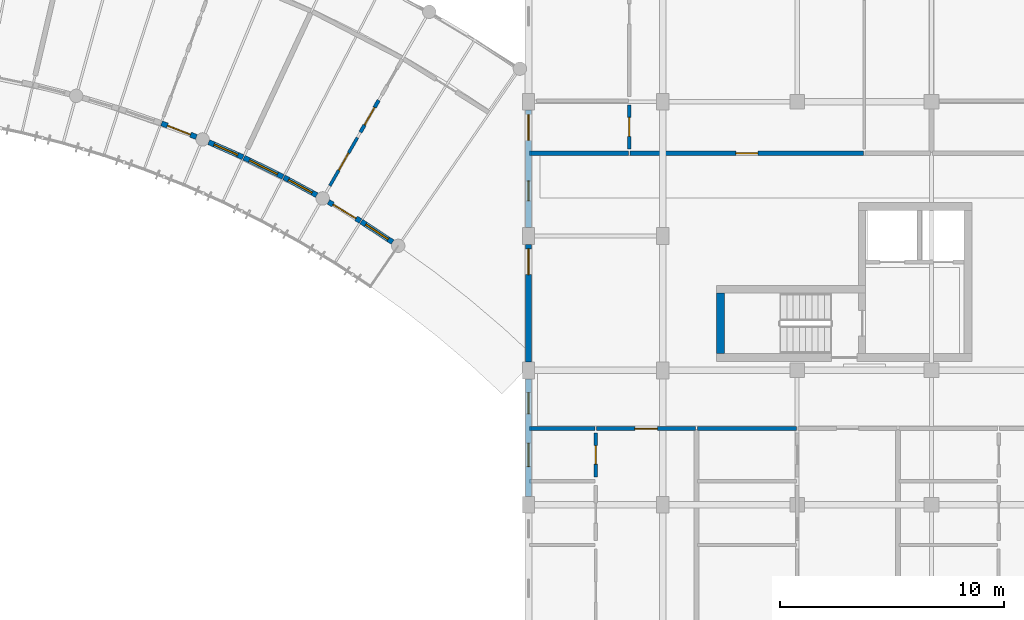
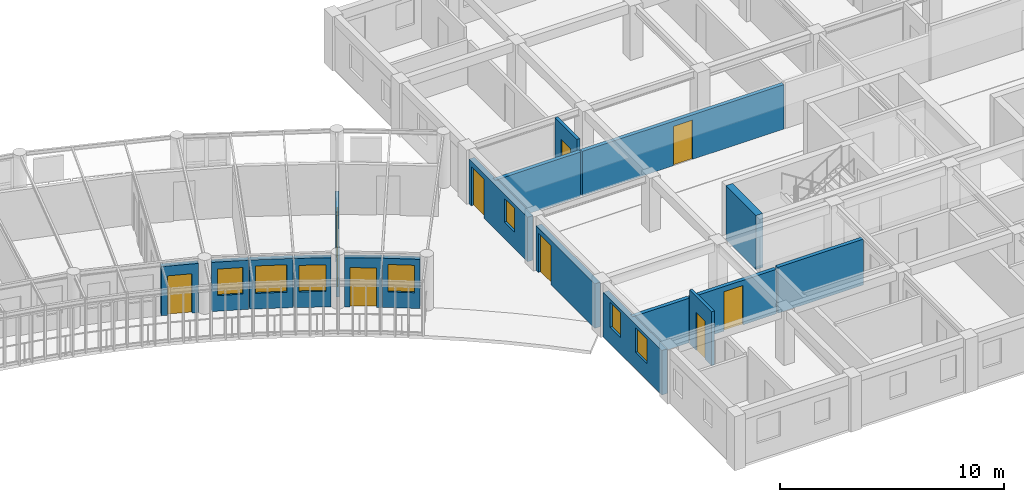
# One storey, part 77 of 100: 19 walls, 10 doors, 7 windows, 17 openings.
"""IFC4 building model written with IfcOpenShell, lengths in metres."""

from ifc_helpers import new_model, si_unit, direction, frame, frame_2d, origin, place, context, subcontext, project, spatial, rectangle, extrude, material, layer, layer_set, type_object, element, fill, save


model = new_model("IFC4")

# Units and contexts
model_context = context("Model", 3, precision=1e-05, world=origin(), true_north=direction((0.0, 1.0)))
body_context = subcontext(model_context, "Body", "Model", "MODEL_VIEW")
ifc_project = project(units=[si_unit("LENGTHUNIT", "METRE"), si_unit("AREAUNIT", "SQUARE_METRE"), si_unit("VOLUMEUNIT", "CUBIC_METRE"), si_unit("PLANEANGLEUNIT", "RADIAN"), si_unit("MASSUNIT", "GRAM", prefix="KILO"), si_unit("POWERUNIT", "WATT"), si_unit("THERMODYNAMICTEMPERATUREUNIT", "KELVIN")], contexts=[model_context])

# Site, building, storey
site_placement = place(None, origin())
site = spatial("IfcSite", under=ifc_project, at=site_placement, CompositionType="ELEMENT")
building_placement = place(site_placement, origin())
building = spatial("IfcBuilding", under=site, at=building_placement, Name="Ruvembo Vaulted Housing Court", CompositionType="ELEMENT")
storey_placement = place(building_placement, frame((0.0, 0.0, 14.10009765625)))
storey = spatial("IfcBuildingStorey", under=building, at=storey_placement, Name="L04", CompositionType="ELEMENT", Elevation=14.10009765625)

# Walls
ifc_material_1 = material(Name="Concrete C35/45", Category="concrete")
ifc_layer_1 = layer(ifc_material_1, 0.35009765625, Name="Concrete C35/45")
ifc_layer_set_1 = layer_set([ifc_layer_1], Name="Concrete C35/45")
wall_type_1 = type_object("IfcWallType", Name="WL-CORE-350", PredefinedType="SHEAR", material=ifc_layer_set_1)
wall_1_placement = place(storey_placement, frame((158.574951171875, 87.449951171875, 0.0), z_axis=(0.0, 0.0, 1.0), x_axis=(0.0, -1.0, 0.0)))
element("IfcWall", 1, at=wall_1_placement, inside=storey, type_object=wall_type_1, Name="Core D1 L04 Stair West Shear Wall", PredefinedType="SHEAR", context=body_context, shape_type="SweptSolid", body=[
    extrude(rectangle(XDim=2.699951171875, YDim=0.35009765625, at=frame_2d((1.35009765625, 0.0))), origin(), (0.0, 0.0, 1.0), 2.949951171875),
])
ifc_material_2 = material(Name="Concrete Blockwork 190", Category="masonry")
ifc_layer_2 = layer(ifc_material_2, 0.18994140625, Name="Concrete Blockwork 190")
ifc_layer_set_2 = layer_set([ifc_layer_2], Name="Concrete Blockwork 190")
wall_type_2 = type_object("IfcWallType", Name="WL-CORR-190", PredefinedType="SOLIDWALL", material=ifc_layer_set_2)
wall_2_placement = place(storey_placement, frame((150.0400390625, 81.39990234375, 0.0), z_axis=(0.0, 0.0, 1.0), x_axis=(1.0, 0.0, 0.0)))
element("IfcWall", 2, at=wall_2_placement, inside=storey, type_object=wall_type_2, Name="L04 Flat D-L04-S1 Corridor Wall WL-INT-L04-01238", PredefinedType="SOLIDWALL", context=body_context, shape_type="SweptSolid", body=[
    extrude(rectangle(XDim=2.919921875, YDim=0.18994140625, at=frame_2d((1.4599609375, 0.0))), origin(), (0.0, 0.0, 1.0), 2.431884765625),
])

# Wall, opening, door
wall_3_placement = place(storey_placement, frame((153.0400390625, 81.39990234375, 0.0), z_axis=(0.0, 0.0, 1.0), x_axis=(1.0, 0.0, 0.0)))
wall_3 = element("IfcWall", 3, at=wall_3_placement, inside=storey, type_object=wall_type_2, Name="L04 Flat D-L04-S1 Entrance WL-INT-L04-01239", PredefinedType="SOLIDWALL", context=body_context, shape_type="SweptSolid", body=[
    extrude(rectangle(XDim=4.419921875, YDim=0.18994140625, at=frame_2d((2.2099609375, 0.0))), origin(), (0.0, 0.0, 1.0), 2.431884765625),
])
opening_1_placement = place(wall_3_placement, frame((1.7099609375, 0.0, 0.0)))
opening_1 = element("IfcOpeningElement", 4, at=opening_1_placement, cuts=wall_3, Name="Opening FD1", PredefinedType="OPENING", context=body_context, shape_type="SweptSolid", body=[
    extrude(rectangle(XDim=1.0, YDim=2.14990234375, at=frame_2d((0.5, 1.074951171875))), frame((0.0, 0.10498046875, 0.0), z_axis=(0.0, -1.0, 0.0), x_axis=(1.0, 0.0, 0.0)), (0.0, 0.0, 1.0), 0.2099609375),
])
ifc_material_3 = material(Name="FSC Hardwood and Engineered Timber", Category="wood")
door_type_1 = type_object("IfcDoorType", Name="DR-FLAT-1000x2150", OperationType="NOTDEFINED", PredefinedType="DOOR", material=ifc_material_3)
door_1_placement = place(opening_1_placement, origin())
door_1 = element("IfcDoor", 5, at=door_1_placement, inside=storey, type_object=door_type_1, Name="L04 Flat D-L04-S1 Entrance Door DR-INT-L04-00690", OperationType="SINGLE_SWING_RIGHT", OverallHeight=2.14990234375, OverallWidth=1.0, PredefinedType="DOOR", context=body_context, shape_type="SweptSolid", body=[
    extrude(rectangle(XDim=1.0, YDim=2.14990234375, at=frame_2d((0.5, 1.074951171875))), frame((0.0, 0.02490234375, 0.0), z_axis=(0.0, -1.0, 0.0), x_axis=(1.0, 0.0, 0.0)), (0.0, 0.0, 1.0), 0.050048828125),
])
fill(opening_1, door_1)

# Walls
wall_4_placement = place(storey_placement, frame((157.5400390625, 81.39990234375, 0.0), z_axis=(0.0, 0.0, 1.0), x_axis=(1.0, 0.0, 0.0)))
element("IfcWall", 6, at=wall_4_placement, inside=storey, type_object=wall_type_2, Name="L04 Flat D-L04-S2 Corridor Wall WL-INT-L04-01246", PredefinedType="SOLIDWALL", context=body_context, shape_type="SweptSolid", body=[
    extrude(rectangle(XDim=4.419921875, YDim=0.18994140625, at=frame_2d((2.2099609375, 0.0))), origin(), (0.0, 0.0, 1.0), 2.5078125),
])
wall_5_placement = place(storey_placement, frame((150.0400390625, 93.699951171875, 0.0), z_axis=(0.0, 0.0, 1.0), x_axis=(1.0, 0.0, 0.0)))
element("IfcWall", 7, at=wall_5_placement, inside=storey, type_object=wall_type_2, Name="L04 Flat D-L04-N1 Corridor Wall WL-INT-L04-01269", PredefinedType="SOLIDWALL", context=body_context, shape_type="SweptSolid", body=[
    extrude(rectangle(XDim=4.419921875, YDim=0.18994140625, at=frame_2d((2.2099609375, 0.0))), origin(), (0.0, 0.0, 1.0), 2.431884765625),
])

# Wall, opening, door
wall_6_placement = place(storey_placement, frame((154.5400390625, 93.699951171875, 0.0), z_axis=(0.0, 0.0, 1.0), x_axis=(1.0, 0.0, 0.0)))
wall_6 = element("IfcWall", 8, at=wall_6_placement, inside=storey, type_object=wall_type_2, Name="L04 Flat D-L04-N1 Entrance WL-INT-L04-01270", PredefinedType="SOLIDWALL", context=body_context, shape_type="SweptSolid", body=[
    extrude(rectangle(XDim=10.419921875, YDim=0.18994140625, at=frame_2d((5.2099609375, 0.0))), origin(), (0.0, 0.0, 1.0), 2.431884765625),
])
opening_2_placement = place(wall_6_placement, frame((4.719970703125, 0.0, 0.0)))
opening_2 = element("IfcOpeningElement", 9, at=opening_2_placement, cuts=wall_6, Name="Opening FD2", PredefinedType="OPENING", context=body_context, shape_type="SweptSolid", body=[
    extrude(rectangle(XDim=0.97998046875, YDim=2.14990234375, at=frame_2d((0.489990234375, 1.074951171875))), frame((0.0, 0.10498046875, 0.0), z_axis=(0.0, -1.0, 0.0), x_axis=(1.0, 0.0, 0.0)), (0.0, 0.0, 1.0), 0.2099609375),
])
door_type_2 = type_object("IfcDoorType", Name="DR-FLAT-0980x2150", OperationType="NOTDEFINED", PredefinedType="DOOR", material=ifc_material_3)
door_2_placement = place(opening_2_placement, origin())
door_2 = element("IfcDoor", 10, at=door_2_placement, inside=storey, type_object=door_type_2, Name="L04 Flat D-L04-N1 Entrance Door DR-INT-L04-00706", OperationType="SINGLE_SWING_RIGHT", OverallHeight=2.14990234375, OverallWidth=0.97998046875, PredefinedType="DOOR", context=body_context, shape_type="SweptSolid", body=[
    extrude(rectangle(XDim=0.97998046875, YDim=2.14990234375, at=frame_2d((0.489990234375, 1.074951171875))), frame((0.0, 0.02490234375, 0.0), z_axis=(0.0, -1.0, 0.0), x_axis=(1.0, 0.0, 0.0)), (0.0, 0.0, 1.0), 0.050048828125),
])
fill(opening_2, door_2)

ifc_material_4 = material(Name="Rendered Masonry 235", Category="masonry")
ifc_layer_3 = layer(ifc_material_4, 0.235107421875, Name="Rendered Masonry 235")
ifc_layer_set_3 = layer_set([ifc_layer_3], Name="Rendered Masonry 235")
wall_type_3 = type_object("IfcWallType", Name="WL-EXT-235", PredefinedType="STANDARD", material=ifc_layer_set_3)
wall_7_placement = place(storey_placement, frame((133.605712890625, 95.03564453125, 0.0), z_axis=(0.0, 0.0, 1.0), x_axis=(0.931012112308, -0.364988283012, 0.0)))
wall_7 = element("IfcWall", 11, at=wall_7_placement, inside=storey, type_object=wall_type_3, Name="Scoop SC3 L04 Concave Balcony Wall 23", PredefinedType="STANDARD", context=body_context, shape_type="SweptSolid", body=[
    extrude(rectangle(XDim=1.67236328125, YDim=0.235107421875, at=frame_2d((0.836181640625, 0.0))), origin(), (0.0, 0.0, 1.0), 2.683837890625),
])
opening_3_placement = place(wall_7_placement, frame((0.2861328125, 0.0, 0.0)))
opening_3 = element("IfcOpeningElement", 12, at=opening_3_placement, cuts=wall_7, Name="Opening BD3", PredefinedType="OPENING", context=body_context, shape_type="SweptSolid", body=[
    extrude(rectangle(XDim=1.10009765625, YDim=2.14990234375, at=frame_2d((0.550048828125, 1.074951171875))), frame((0.0, 0.12744140625, 0.0), z_axis=(0.0, -1.0, 0.0), x_axis=(1.0, 0.0, 0.0)), (0.0, 0.0, 1.0), 0.255126953125),
])
ifc_material_5 = material(Name="Thermally Broken Glazed Aluminium", Category="aluminium")
door_type_3 = type_object("IfcDoorType", Name="DR-BAL-1100x2150", OperationType="NOTDEFINED", PredefinedType="DOOR", material=ifc_material_5)
door_3_placement = place(opening_3_placement, frame((1.10009765625, 0.0, 0.0), z_axis=(0.0, 0.0, 1.0), x_axis=(-1.0, 0.0, 0.0)))
door_3 = element("IfcDoor", 13, at=door_3_placement, inside=storey, type_object=door_type_3, Name="Scoop SC3 L04 Balcony Door 23", OperationType="SINGLE_SWING_LEFT", OverallHeight=2.14990234375, OverallWidth=1.10009765625, PredefinedType="DOOR", context=body_context, shape_type="SweptSolid", body=[
    extrude(rectangle(XDim=1.10009765625, YDim=2.14990234375, at=frame_2d((0.550048828125, 1.074951171875))), frame((0.0, 0.02490234375, 0.0), z_axis=(0.0, -1.0, 0.0), x_axis=(1.0, 0.0, 0.0)), (0.0, 0.0, 1.0), 0.050048828125),
])
fill(opening_3, door_3)

# Wall, opening, window
wall_8_placement = place(storey_placement, frame((135.716552734375, 94.19482421875, 0.0), z_axis=(0.0, 0.0, 1.0), x_axis=(0.915095317091, -0.403237598246, 0.0)))
wall_8 = element("IfcWall", 14, at=wall_8_placement, inside=storey, type_object=wall_type_3, Name="Scoop SC3 L04 Concave Balcony Wall 24", PredefinedType="STANDARD", context=body_context, shape_type="SweptSolid", body=[
    extrude(rectangle(XDim=1.67236328125, YDim=0.235107421875, at=frame_2d((0.836181640625, 0.0))), origin(), (0.0, 0.0, 1.0), 2.683837890625),
])
opening_4_placement = place(wall_8_placement, frame((0.26123046875, 0.0, 0.85009765625)))
opening_4 = element("IfcOpeningElement", 15, at=opening_4_placement, cuts=wall_8, Name="Opening W11", PredefinedType="OPENING", context=body_context, shape_type="SweptSolid", body=[
    extrude(rectangle(XDim=1.14990234375, YDim=1.449951171875, at=frame_2d((0.574951171875, 0.72509765625))), frame((0.0, 0.12744140625, 0.0), z_axis=(0.0, -1.0, 0.0), x_axis=(1.0, 0.0, 0.0)), (0.0, 0.0, 1.0), 0.255126953125),
])
ifc_material_6 = material(Name="Double Solar-Control Glazing in Aluminium Frame", Category="aluminium")
window_type_1 = type_object("IfcWindowType", Name="WIN-1150x1450", PartitioningType="SINGLE_PANEL", PredefinedType="WINDOW", material=ifc_material_6)
window_1_placement = place(opening_4_placement, origin())
window_1 = element("IfcWindow", 16, at=window_1_placement, inside=storey, type_object=window_type_1, Name="Scoop SC3 L04 Concave Window 24", OverallHeight=1.449951171875, OverallWidth=1.14990234375, PartitioningType="SINGLE_PANEL", PredefinedType="WINDOW", context=body_context, shape_type="SweptSolid", body=[
    extrude(rectangle(XDim=1.14990234375, YDim=1.449951171875, at=frame_2d((0.574951171875, 0.72509765625))), frame((0.0, 0.030029296875, 0.0), z_axis=(0.0, -1.0, 0.0), x_axis=(1.0, 0.0, 0.0)), (0.0, 0.0, 1.0), 0.06005859375),
])
fill(opening_4, window_1)

wall_9_placement = place(storey_placement, frame((137.283203125, 93.50341796875, 0.0), z_axis=(0.0, 0.0, 1.0), x_axis=(0.897531751182, -0.44094983345, 0.0)))
wall_9 = element("IfcWall", 17, at=wall_9_placement, inside=storey, type_object=wall_type_3, Name="Scoop SC3 L04 Concave Balcony Wall 25", PredefinedType="STANDARD", context=body_context, shape_type="SweptSolid", body=[
    extrude(rectangle(XDim=1.9521484375, YDim=0.235107421875, at=frame_2d((0.97607421875, 0.0))), origin(), (0.0, 0.0, 1.0), 2.683837890625),
])
opening_5_placement = place(wall_9_placement, frame((0.276123046875, 0.0, 0.85009765625)))
opening_5 = element("IfcOpeningElement", 18, at=opening_5_placement, cuts=wall_9, Name="Opening W17", PredefinedType="OPENING", context=body_context, shape_type="SweptSolid", body=[
    extrude(rectangle(XDim=1.39990234375, YDim=1.5, at=frame_2d((0.699951171875, 0.75))), frame((0.0, 0.12744140625, 0.0), z_axis=(0.0, -1.0, 0.0), x_axis=(1.0, 0.0, 0.0)), (0.0, 0.0, 1.0), 0.255126953125),
])
window_type_2 = type_object("IfcWindowType", Name="WIN-1400x1500", PartitioningType="SINGLE_PANEL", PredefinedType="WINDOW", material=ifc_material_6)
window_2_placement = place(opening_5_placement, origin())
window_2 = element("IfcWindow", 19, at=window_2_placement, inside=storey, type_object=window_type_2, Name="Scoop SC3 L04 Concave Window 25", OverallHeight=1.5, OverallWidth=1.39990234375, PartitioningType="SINGLE_PANEL", PredefinedType="WINDOW", context=body_context, shape_type="SweptSolid", body=[
    extrude(rectangle(XDim=1.39990234375, YDim=1.5, at=frame_2d((0.699951171875, 0.75))), frame((0.0, 0.030029296875, 0.0), z_axis=(0.0, -1.0, 0.0), x_axis=(1.0, 0.0, 0.0)), (0.0, 0.0, 1.0), 0.06005859375),
])
fill(opening_5, window_2)

wall_10_placement = place(storey_placement, frame((139.071044921875, 92.624267578125, 0.0), z_axis=(0.0, 0.0, 1.0), x_axis=(0.878447349235, -0.477839151412, 0.0)))
wall_10 = element("IfcWall", 20, at=wall_10_placement, inside=storey, type_object=wall_type_3, Name="Scoop SC3 L04 Concave Balcony Wall 26", PredefinedType="STANDARD", context=body_context, shape_type="SweptSolid", body=[
    extrude(rectangle(XDim=1.67236328125, YDim=0.235107421875, at=frame_2d((0.836181640625, 0.0))), origin(), (0.0, 0.0, 1.0), 2.683837890625),
])
opening_6_placement = place(wall_10_placement, frame((0.236083984375, 0.0, 0.85009765625)))
opening_6 = element("IfcOpeningElement", 21, at=opening_6_placement, cuts=wall_10, Name="Opening W13", PredefinedType="OPENING", context=body_context, shape_type="SweptSolid", body=[
    extrude(rectangle(XDim=1.199951171875, YDim=1.449951171875, at=frame_2d((0.60009765625, 0.72509765625))), frame((0.0, 0.12744140625, 0.0), z_axis=(0.0, -1.0, 0.0), x_axis=(1.0, 0.0, 0.0)), (0.0, 0.0, 1.0), 0.255126953125),
])
window_type_3 = type_object("IfcWindowType", Name="WIN-1200x1450", PartitioningType="SINGLE_PANEL", PredefinedType="WINDOW", material=ifc_material_6)
window_3_placement = place(opening_6_placement, origin())
window_3 = element("IfcWindow", 22, at=window_3_placement, inside=storey, type_object=window_type_3, Name="Scoop SC3 L04 Concave Window 26", OverallHeight=1.449951171875, OverallWidth=1.199951171875, PartitioningType="SINGLE_PANEL", PredefinedType="WINDOW", context=body_context, shape_type="SweptSolid", body=[
    extrude(rectangle(XDim=1.199951171875, YDim=1.449951171875, at=frame_2d((0.60009765625, 0.72509765625))), frame((0.0, 0.030029296875, 0.0), z_axis=(0.0, -1.0, 0.0), x_axis=(1.0, 0.0, 0.0)), (0.0, 0.0, 1.0), 0.06005859375),
])
fill(opening_6, window_3)

# Wall, opening, door
wall_11_placement = place(storey_placement, frame((141.06103515625, 91.52783203125, 0.0), z_axis=(0.0, 0.0, 1.0), x_axis=(0.857853402967, -0.513894482377, 0.0)))
wall_11 = element("IfcWall", 23, at=wall_11_placement, inside=storey, type_object=wall_type_3, Name="Scoop SC3 L04 Concave Balcony Wall 27", PredefinedType="STANDARD", context=body_context, shape_type="SweptSolid", body=[
    extrude(rectangle(XDim=1.67236328125, YDim=0.235107421875, at=frame_2d((0.836181640625, 0.0))), origin(), (0.0, 0.0, 1.0), 2.683837890625),
])
opening_7_placement = place(wall_11_placement, frame((0.236083984375, 0.0, 0.0)))
opening_7 = element("IfcOpeningElement", 24, at=opening_7_placement, cuts=wall_11, Name="Opening BD2", PredefinedType="OPENING", context=body_context, shape_type="SweptSolid", body=[
    extrude(rectangle(XDim=1.199951171875, YDim=2.14990234375, at=frame_2d((0.60009765625, 1.074951171875))), frame((0.0, 0.12744140625, 0.0), z_axis=(0.0, -1.0, 0.0), x_axis=(1.0, 0.0, 0.0)), (0.0, 0.0, 1.0), 0.255126953125),
])
door_type_4 = type_object("IfcDoorType", Name="DR-BAL-1200x2150", OperationType="NOTDEFINED", PredefinedType="DOOR", material=ifc_material_5)
door_4_placement = place(opening_7_placement, frame((1.199951171875, 0.0, 0.0), z_axis=(0.0, 0.0, 1.0), x_axis=(-1.0, 0.0, 0.0)))
door_4 = element("IfcDoor", 25, at=door_4_placement, inside=storey, type_object=door_type_4, Name="Scoop SC3 L04 Balcony Door 27", OperationType="SINGLE_SWING_RIGHT", OverallHeight=2.14990234375, OverallWidth=1.199951171875, PredefinedType="DOOR", context=body_context, shape_type="SweptSolid", body=[
    extrude(rectangle(XDim=1.199951171875, YDim=2.14990234375, at=frame_2d((0.60009765625, 1.074951171875))), frame((0.0, 0.02490234375, 0.0), z_axis=(0.0, -1.0, 0.0), x_axis=(1.0, 0.0, 0.0)), (0.0, 0.0, 1.0), 0.050048828125),
])
fill(opening_7, door_4)

# Wall, opening, window
wall_12_placement = place(storey_placement, frame((142.529541015625, 90.647216796875, 0.0), z_axis=(0.0, 0.0, 1.0), x_axis=(0.83589302699, -0.548892382375, 0.0)))
wall_12 = element("IfcWall", 26, at=wall_12_placement, inside=storey, type_object=wall_type_3, Name="Scoop SC3 L04 Concave Balcony Wall 28", PredefinedType="STANDARD", context=body_context, shape_type="SweptSolid", body=[
    extrude(rectangle(XDim=1.67236328125, YDim=0.235107421875, at=frame_2d((0.836181640625, 0.0))), origin(), (0.0, 0.0, 1.0), 2.683837890625),
])
opening_8_placement = place(wall_12_placement, frame((0.236083984375, 0.0, 0.85009765625)))
opening_8 = element("IfcOpeningElement", 27, at=opening_8_placement, cuts=wall_12, Name="Opening W14", PredefinedType="OPENING", context=body_context, shape_type="SweptSolid", body=[
    extrude(rectangle(XDim=1.199951171875, YDim=1.5, at=frame_2d((0.60009765625, 0.75))), frame((0.0, 0.12744140625, 0.0), z_axis=(0.0, -1.0, 0.0), x_axis=(1.0, 0.0, 0.0)), (0.0, 0.0, 1.0), 0.255126953125),
])
window_type_4 = type_object("IfcWindowType", Name="WIN-1200x1500", PartitioningType="SINGLE_PANEL", PredefinedType="WINDOW", material=ifc_material_6)
window_4_placement = place(opening_8_placement, origin())
window_4 = element("IfcWindow", 28, at=window_4_placement, inside=storey, type_object=window_type_4, Name="Scoop SC3 L04 Concave Window 28", OverallHeight=1.5, OverallWidth=1.199951171875, PartitioningType="SINGLE_PANEL", PredefinedType="WINDOW", context=body_context, shape_type="SweptSolid", body=[
    extrude(rectangle(XDim=1.199951171875, YDim=1.5, at=frame_2d((0.60009765625, 0.75))), frame((0.0, 0.030029296875, 0.0), z_axis=(0.0, -1.0, 0.0), x_axis=(1.0, 0.0, 0.0)), (0.0, 0.0, 1.0), 0.06005859375),
])
fill(opening_8, window_4)

# Wall, openings, door, window
ifc_material_7 = material(Name="Rendered Masonry 285", Category="masonry")
ifc_layer_4 = layer(ifc_material_7, 0.284912109375, Name="Rendered Masonry 285")
ifc_layer_set_4 = layer_set([ifc_layer_4], Name="Rendered Masonry 285")
wall_type_4 = type_object("IfcWallType", Name="WL-EXT-285", PredefinedType="STANDARD", material=ifc_layer_set_4)
wall_13_placement = place(storey_placement, frame((150.0, 95.625, 0.0), z_axis=(0.0, 0.0, 1.0), x_axis=(0.0, -1.0, 0.0)))
wall_13 = element("IfcWall", 29, at=wall_13_placement, inside=storey, type_object=wall_type_4, Name="Block D L04 Exterior Wall WEST #3", PredefinedType="STANDARD", context=body_context, shape_type="SweptSolid", body=[
    extrude(rectangle(XDim=5.25, YDim=0.284912109375, at=frame_2d((2.625, 0.0))), origin(), (0.0, 0.0, 1.0), 2.431884765625),
])
opening_9_placement = place(wall_13_placement, frame((0.199951171875, 0.0, 0.0)))
opening_9 = element("IfcOpeningElement", 30, at=opening_9_placement, cuts=wall_13, Name="Opening GD1", PredefinedType="OPENING", context=body_context, shape_type="SweptSolid", body=[
    extrude(rectangle(XDim=1.14990234375, YDim=2.14990234375, at=frame_2d((0.574951171875, 1.074951171875))), frame((0.0, 0.15234375, 0.0), z_axis=(0.0, -1.0, 0.0), x_axis=(1.0, 0.0, 0.0)), (0.0, 0.0, 1.0), 0.304931640625),
])
opening_10_placement = place(wall_13_placement, frame((3.157470703125, 0.0, 0.89990234375)))
opening_10 = element("IfcOpeningElement", 31, at=opening_10_placement, cuts=wall_13, Name="Opening W04", PredefinedType="OPENING", context=body_context, shape_type="SweptSolid", body=[
    extrude(rectangle(XDim=0.89990234375, YDim=1.300048828125, at=frame_2d((0.449951171875, 0.64990234375))), frame((0.0, 0.15234375, 0.0), z_axis=(0.0, -1.0, 0.0), x_axis=(1.0, 0.0, 0.0)), (0.0, 0.0, 1.0), 0.304931640625),
])
door_type_5 = type_object("IfcDoorType", Name="DR-GAL-1150x2150", OperationType="NOTDEFINED", PredefinedType="DOOR", material=ifc_material_5)
door_5_placement = place(opening_9_placement, frame((1.14990234375, 0.0, 0.0), z_axis=(0.0, 0.0, 1.0), x_axis=(-1.0, 0.0, 0.0)))
door_5 = element("IfcDoor", 32, at=door_5_placement, inside=storey, type_object=door_type_5, Name="Block D L04 Terrace or Gallery Door DR-TER-D-L04-074", OperationType="SINGLE_SWING_LEFT", OverallHeight=2.14990234375, OverallWidth=1.14990234375, PredefinedType="DOOR", context=body_context, shape_type="SweptSolid", body=[
    extrude(rectangle(XDim=1.14990234375, YDim=2.14990234375, at=frame_2d((0.574951171875, 1.074951171875))), frame((0.0, 0.02490234375, 0.0), z_axis=(0.0, -1.0, 0.0), x_axis=(1.0, 0.0, 0.0)), (0.0, 0.0, 1.0), 0.050048828125),
])
fill(opening_9, door_5)
window_type_5 = type_object("IfcWindowType", Name="WIN-0900x1300", PartitioningType="SINGLE_PANEL", PredefinedType="WINDOW", material=ifc_material_6)
window_5_placement = place(opening_10_placement, origin())
window_5 = element("IfcWindow", 33, at=window_5_placement, inside=storey, type_object=window_type_5, Name="Block D L04 Window #1658", OverallHeight=1.300048828125, OverallWidth=0.89990234375, PartitioningType="SINGLE_PANEL", PredefinedType="WINDOW", context=body_context, shape_type="SweptSolid", body=[
    extrude(rectangle(XDim=0.89990234375, YDim=1.300048828125, at=frame_2d((0.449951171875, 0.64990234375))), frame((0.0, 0.030029296875, 0.0), z_axis=(0.0, -1.0, 0.0), x_axis=(1.0, 0.0, 0.0)), (0.0, 0.0, 1.0), 0.06005859375),
])
fill(opening_10, window_5)

# Wall, opening, door
wall_14_placement = place(storey_placement, frame((150.0, 89.625, 0.0), z_axis=(0.0, 0.0, 1.0), x_axis=(0.0, -1.0, 0.0)))
wall_14 = element("IfcWall", 34, at=wall_14_placement, inside=storey, type_object=wall_type_4, Name="Block D L04 Exterior Wall WEST #4", PredefinedType="STANDARD", context=body_context, shape_type="SweptSolid", body=[
    extrude(rectangle(XDim=5.25, YDim=0.284912109375, at=frame_2d((2.625, 0.0))), origin(), (0.0, 0.0, 1.0), 2.431884765625),
])
opening_11_placement = place(wall_14_placement, frame((0.199951171875, 0.0, 0.0)))
opening_11 = element("IfcOpeningElement", 35, at=opening_11_placement, cuts=wall_14, Name="Opening GD1", PredefinedType="OPENING", context=body_context, shape_type="SweptSolid", body=[
    extrude(rectangle(XDim=1.14990234375, YDim=2.14990234375, at=frame_2d((0.574951171875, 1.074951171875))), frame((0.0, 0.15234375, 0.0), z_axis=(0.0, -1.0, 0.0), x_axis=(1.0, 0.0, 0.0)), (0.0, 0.0, 1.0), 0.304931640625),
])
door_6_placement = place(opening_11_placement, frame((1.14990234375, 0.0, 0.0), z_axis=(0.0, 0.0, 1.0), x_axis=(-1.0, 0.0, 0.0)))
door_6 = element("IfcDoor", 36, at=door_6_placement, inside=storey, type_object=door_type_5, Name="Block D L04 Terrace or Gallery Door DR-TER-D-L04-075", OperationType="SINGLE_SWING_RIGHT", OverallHeight=2.14990234375, OverallWidth=1.14990234375, PredefinedType="DOOR", context=body_context, shape_type="SweptSolid", body=[
    extrude(rectangle(XDim=1.14990234375, YDim=2.14990234375, at=frame_2d((0.574951171875, 1.074951171875))), frame((0.0, 0.02490234375, 0.0), z_axis=(0.0, -1.0, 0.0), x_axis=(1.0, 0.0, 0.0)), (0.0, 0.0, 1.0), 0.050048828125),
])
fill(opening_11, door_6)

# Wall, openings, windows
wall_15_placement = place(storey_placement, frame((150.0, 83.625, 0.0), z_axis=(0.0, 0.0, 1.0), x_axis=(0.0, -1.0, 0.0)))
wall_15 = element("IfcWall", 37, at=wall_15_placement, inside=storey, type_object=wall_type_4, Name="Block D L04 Exterior Wall WEST #5", PredefinedType="STANDARD", context=body_context, shape_type="SweptSolid", body=[
    extrude(rectangle(XDim=5.25, YDim=0.284912109375, at=frame_2d((2.625, 0.0))), origin(), (0.0, 0.0, 1.0), 2.431884765625),
])
opening_12_placement = place(wall_15_placement, frame((0.617431640625, 0.0, 0.89990234375)))
opening_12 = element("IfcOpeningElement", 38, at=opening_12_placement, cuts=wall_15, Name="Opening W07", PredefinedType="OPENING", context=body_context, shape_type="SweptSolid", body=[
    extrude(rectangle(XDim=0.949951171875, YDim=1.35009765625, at=frame_2d((0.47509765625, 0.675048828125))), frame((0.0, 0.15234375, 0.0), z_axis=(0.0, -1.0, 0.0), x_axis=(1.0, 0.0, 0.0)), (0.0, 0.0, 1.0), 0.304931640625),
])
opening_13_placement = place(wall_15_placement, frame((2.875, 0.0, 0.89990234375)))
opening_13 = element("IfcOpeningElement", 39, at=opening_13_placement, cuts=wall_15, Name="Opening W09", PredefinedType="OPENING", context=body_context, shape_type="SweptSolid", body=[
    extrude(rectangle(XDim=1.050048828125, YDim=1.35009765625, at=frame_2d((0.52490234375, 0.675048828125))), frame((0.0, 0.15234375, 0.0), z_axis=(0.0, -1.0, 0.0), x_axis=(1.0, 0.0, 0.0)), (0.0, 0.0, 1.0), 0.304931640625),
])
window_type_6 = type_object("IfcWindowType", Name="WIN-0950x1350", PartitioningType="SINGLE_PANEL", PredefinedType="WINDOW", material=ifc_material_6)
window_6_placement = place(opening_12_placement, origin())
window_6 = element("IfcWindow", 40, at=window_6_placement, inside=storey, type_object=window_type_6, Name="Block D L04 Window #1659", OverallHeight=1.35009765625, OverallWidth=0.949951171875, PartitioningType="SINGLE_PANEL", PredefinedType="WINDOW", context=body_context, shape_type="SweptSolid", body=[
    extrude(rectangle(XDim=0.949951171875, YDim=1.35009765625, at=frame_2d((0.47509765625, 0.675048828125))), frame((0.0, 0.030029296875, 0.0), z_axis=(0.0, -1.0, 0.0), x_axis=(1.0, 0.0, 0.0)), (0.0, 0.0, 1.0), 0.06005859375),
])
fill(opening_12, window_6)
window_type_7 = type_object("IfcWindowType", Name="WIN-1050x1350", PartitioningType="SINGLE_PANEL", PredefinedType="WINDOW", material=ifc_material_6)
window_7_placement = place(opening_13_placement, origin())
window_7 = element("IfcWindow", 41, at=window_7_placement, inside=storey, type_object=window_type_7, Name="Block D L04 Window #1660", OverallHeight=1.35009765625, OverallWidth=1.050048828125, PartitioningType="SINGLE_PANEL", PredefinedType="WINDOW", context=body_context, shape_type="SweptSolid", body=[
    extrude(rectangle(XDim=1.050048828125, YDim=1.35009765625, at=frame_2d((0.52490234375, 0.675048828125))), frame((0.0, 0.030029296875, 0.0), z_axis=(0.0, -1.0, 0.0), x_axis=(1.0, 0.0, 0.0)), (0.0, 0.0, 1.0), 0.06005859375),
])
fill(opening_13, window_7)

# Wall, opening, door
ifc_material_8 = material(Name="Acoustic Stud Partition 135", Category="gypsum")
ifc_layer_5 = layer(ifc_material_8, 0.135009765625, Name="Acoustic Stud Partition 135")
ifc_layer_set_5 = layer_set([ifc_layer_5], Name="Acoustic Stud Partition 135")
wall_type_5 = type_object("IfcWallType", Name="WL-PART-135", PredefinedType="PARTITIONING", material=ifc_layer_set_5)
wall_16_placement = place(storey_placement, frame((141.125, 92.24462890625, 0.0), z_axis=(0.0, 0.0, 1.0), x_axis=(0.49594810138, 0.868352164008, 0.0)))
wall_16 = element("IfcWall", 42, at=wall_16_placement, inside=storey, type_object=wall_type_5, Name="L04 Suite SC3-L04-U6 Bedroom WL-INT-L04-01377", PredefinedType="PARTITIONING", context=body_context, shape_type="SweptSolid", body=[
    extrude(rectangle(XDim=2.47998046875, YDim=0.135009765625, at=frame_2d((1.239990234375, 0.0))), origin(), (0.0, 0.0, 1.0), 2.721923828125),
])
opening_14_placement = place(wall_16_placement, frame((0.800048828125, 0.0, 0.0)))
opening_14 = element("IfcOpeningElement", 43, at=opening_14_placement, cuts=wall_16, Name="Opening ID3", PredefinedType="OPENING", context=body_context, shape_type="SweptSolid", body=[
    extrude(rectangle(XDim=0.8798828125, YDim=2.10009765625, at=frame_2d((0.43994140625, 1.050048828125))), frame((0.0, 0.077392578125, 0.0), z_axis=(0.0, -1.0, 0.0), x_axis=(1.0, 0.0, 0.0)), (0.0, 0.0, 1.0), 0.155029296875),
])
door_type_6 = type_object("IfcDoorType", Name="DR-ROOM-0880x2100", OperationType="NOTDEFINED", PredefinedType="DOOR", material=ifc_material_3)
door_7_placement = place(opening_14_placement, origin())
door_7 = element("IfcDoor", 44, at=door_7_placement, inside=storey, type_object=door_type_6, Name="L04 Suite SC3-L04-U6 Bedroom Door DR-INT-L04-00777", OperationType="SINGLE_SWING_LEFT", OverallHeight=2.10009765625, OverallWidth=0.8798828125, PredefinedType="DOOR", context=body_context, shape_type="SweptSolid", body=[
    extrude(rectangle(XDim=0.8798828125, YDim=2.10009765625, at=frame_2d((0.43994140625, 1.050048828125))), frame((0.0, 0.02490234375, 0.0), z_axis=(0.0, -1.0, 0.0), x_axis=(1.0, 0.0, 0.0)), (0.0, 0.0, 1.0), 0.050048828125),
])
fill(opening_14, door_7)

ifc_material_9 = material(Name="Moisture-Resistant Wet Partition 150", Category="gypsum")
ifc_layer_6 = layer(ifc_material_9, 0.14990234375, Name="Moisture-Resistant Wet Partition 150")
ifc_layer_set_6 = layer_set([ifc_layer_6], Name="Moisture-Resistant Wet Partition 150")
wall_type_6 = type_object("IfcWallType", Name="WL-PART-150", PredefinedType="PARTITIONING", material=ifc_layer_set_6)
wall_17_placement = place(storey_placement, frame((153.0, 79.239990234375, 0.0), z_axis=(0.0, 0.0, 1.0), x_axis=(0.0, 1.0, 0.0)))
wall_17 = element("IfcWall", 45, at=wall_17_placement, inside=storey, type_object=wall_type_6, Name="L04 Flat D-L04-S1 Bathroom WL-INT-L04-01242", PredefinedType="PARTITIONING", context=body_context, shape_type="SweptSolid", body=[
    extrude(rectangle(XDim=1.969970703125, YDim=0.14990234375, at=frame_2d((0.98486328125, 0.0))), origin(), (0.0, 0.0, 1.0), 2.949951171875),
])
opening_15_placement = place(wall_17_placement, frame((0.574951171875, 0.0, 0.0)))
opening_15 = element("IfcOpeningElement", 46, at=opening_15_placement, cuts=wall_17, Name="Opening ID4", PredefinedType="OPENING", context=body_context, shape_type="SweptSolid", body=[
    extrude(rectangle(XDim=0.820068359375, YDim=2.080078125, at=frame_2d((0.41015625, 1.0400390625))), frame((0.0, 0.0849609375, 0.0), z_axis=(0.0, -1.0, 0.0), x_axis=(1.0, 0.0, 0.0)), (0.0, 0.0, 1.0), 0.169921875),
])
door_type_7 = type_object("IfcDoorType", Name="DR-WET-0820x2080", OperationType="NOTDEFINED", PredefinedType="DOOR", material=ifc_material_3)
door_8_placement = place(opening_15_placement, origin())
door_8 = element("IfcDoor", 47, at=door_8_placement, inside=storey, type_object=door_type_7, Name="L04 Flat D-L04-S1 Bathroom Door DR-INT-L04-00693", OperationType="SINGLE_SWING_LEFT", OverallHeight=2.080078125, OverallWidth=0.820068359375, PredefinedType="DOOR", context=body_context, shape_type="SweptSolid", body=[
    extrude(rectangle(XDim=0.820068359375, YDim=2.080078125, at=frame_2d((0.41015625, 1.0400390625))), frame((0.0, 0.02490234375, 0.0), z_axis=(0.0, -1.0, 0.0), x_axis=(1.0, 0.0, 0.0)), (0.0, 0.0, 1.0), 0.050048828125),
])
fill(opening_15, door_8)

wall_18_placement = place(storey_placement, frame((154.5, 93.889892578125, 0.0), z_axis=(0.0, 0.0, 1.0), x_axis=(0.0, 1.0, 0.0)))
wall_18 = element("IfcWall", 48, at=wall_18_placement, inside=storey, type_object=wall_type_6, Name="L04 Flat D-L04-N1 Bathroom WL-INT-L04-01273", PredefinedType="PARTITIONING", context=body_context, shape_type="SweptSolid", body=[
    extrude(rectangle(XDim=1.97021484375, YDim=0.14990234375, at=frame_2d((0.985107421875, 0.0))), origin(), (0.0, 0.0, 1.0), 2.949951171875),
])
opening_16_placement = place(wall_18_placement, frame((0.56005859375, 0.0, 0.0)))
opening_16 = element("IfcOpeningElement", 49, at=opening_16_placement, cuts=wall_18, Name="Opening ID2", PredefinedType="OPENING", context=body_context, shape_type="SweptSolid", body=[
    extrude(rectangle(XDim=0.85009765625, YDim=2.10009765625, at=frame_2d((0.425048828125, 1.050048828125))), frame((0.0, 0.0849609375, 0.0), z_axis=(0.0, -1.0, 0.0), x_axis=(1.0, 0.0, 0.0)), (0.0, 0.0, 1.0), 0.169921875),
])
door_type_8 = type_object("IfcDoorType", Name="DR-WET-0850x2100", OperationType="NOTDEFINED", PredefinedType="DOOR", material=ifc_material_3)
door_9_placement = place(opening_16_placement, origin())
door_9 = element("IfcDoor", 50, at=door_9_placement, inside=storey, type_object=door_type_8, Name="L04 Flat D-L04-N1 Bathroom Door DR-INT-L04-00709", OperationType="SINGLE_SWING_LEFT", OverallHeight=2.10009765625, OverallWidth=0.85009765625, PredefinedType="DOOR", context=body_context, shape_type="SweptSolid", body=[
    extrude(rectangle(XDim=0.85009765625, YDim=2.10009765625, at=frame_2d((0.425048828125, 1.050048828125))), frame((0.0, 0.02490234375, 0.0), z_axis=(0.0, -1.0, 0.0), x_axis=(1.0, 0.0, 0.0)), (0.0, 0.0, 1.0), 0.050048828125),
])
fill(opening_16, door_9)

ifc_material_10 = material(Name="Acoustic Service Chase Wall 160", Category="gypsum")
ifc_layer_7 = layer(ifc_material_10, 0.159912109375, Name="Acoustic Service Chase Wall 160")
ifc_layer_set_7 = layer_set([ifc_layer_7], Name="Acoustic Service Chase Wall 160")
wall_type_7 = type_object("IfcWallType", Name="WL-PLUMB-160", PredefinedType="PLUMBINGWALL", material=ifc_layer_set_7)
wall_19_placement = place(storey_placement, frame((142.48974609375, 94.634521484375, 0.0), z_axis=(0.0, 0.0, 1.0), x_axis=(0.49583578404, 0.868416302971, 0.0)))
wall_19 = element("IfcWall", 51, at=wall_19_placement, inside=storey, type_object=wall_type_7, Name="L04 Suite SC3-L04-U6 Kitchen WL-INT-L04-01378", PredefinedType="PLUMBINGWALL", context=body_context, shape_type="SweptSolid", body=[
    extrude(rectangle(XDim=1.64794921875, YDim=0.159912109375, at=frame_2d((0.823974609375, 0.0))), origin(), (0.0, 0.0, 1.0), 2.721923828125),
])
opening_17_placement = place(wall_19_placement, frame((0.3740234375, 0.0, 0.0)))
opening_17 = element("IfcOpeningElement", 52, at=opening_17_placement, cuts=wall_19, Name="Opening ID1", PredefinedType="OPENING", context=body_context, shape_type="SweptSolid", body=[
    extrude(rectangle(XDim=0.89990234375, YDim=2.10009765625, at=frame_2d((0.449951171875, 1.050048828125))), frame((0.0, 0.08984375, 0.0), z_axis=(0.0, -1.0, 0.0), x_axis=(1.0, 0.0, 0.0)), (0.0, 0.0, 1.0), 0.179931640625),
])
door_type_9 = type_object("IfcDoorType", Name="DR-ROOM-0900x2100", OperationType="NOTDEFINED", PredefinedType="DOOR", material=ifc_material_3)
door_10_placement = place(opening_17_placement, origin())
door_10 = element("IfcDoor", 53, at=door_10_placement, inside=storey, type_object=door_type_9, Name="L04 Suite SC3-L04-U6 Kitchen Door DR-INT-L04-00778", OperationType="SINGLE_SWING_RIGHT", OverallHeight=2.10009765625, OverallWidth=0.89990234375, PredefinedType="DOOR", context=body_context, shape_type="SweptSolid", body=[
    extrude(rectangle(XDim=0.89990234375, YDim=2.10009765625, at=frame_2d((0.449951171875, 1.050048828125))), frame((0.0, 0.02490234375, 0.0), z_axis=(0.0, -1.0, 0.0), x_axis=(1.0, 0.0, 0.0)), (0.0, 0.0, 1.0), 0.050048828125),
])
fill(opening_17, door_10)

save(model, "model.ifc")
